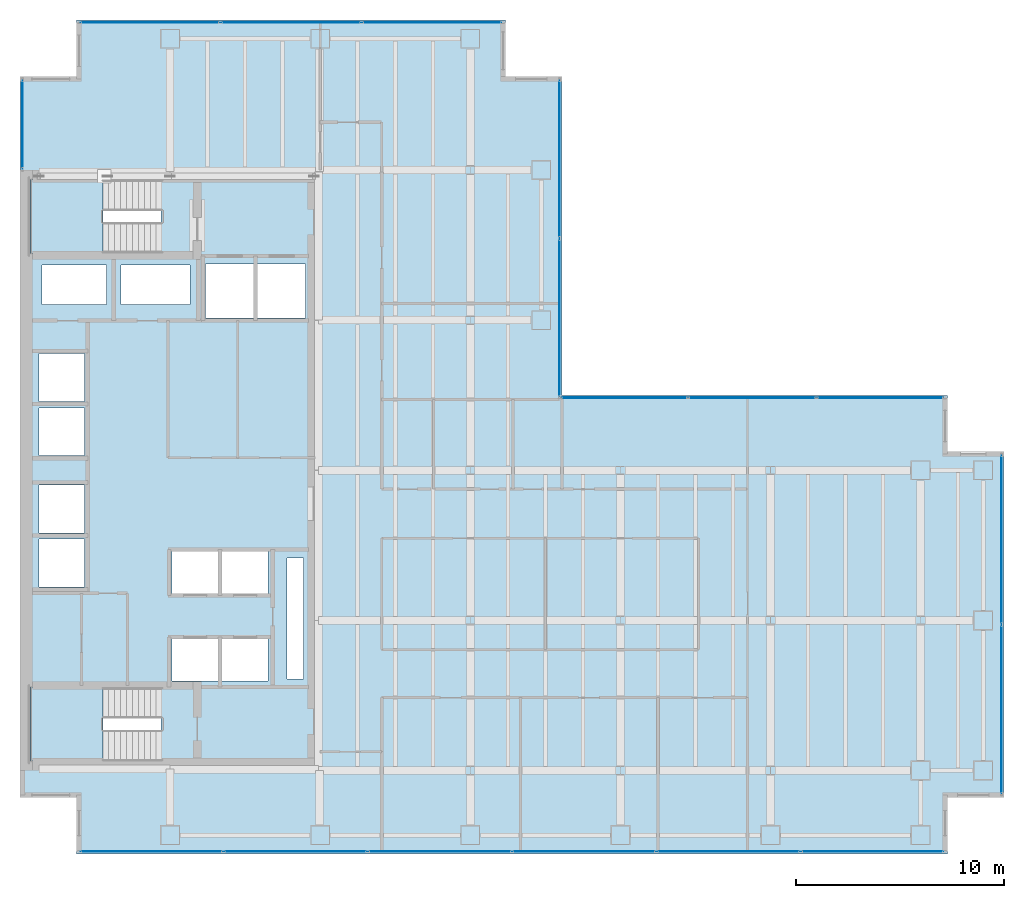
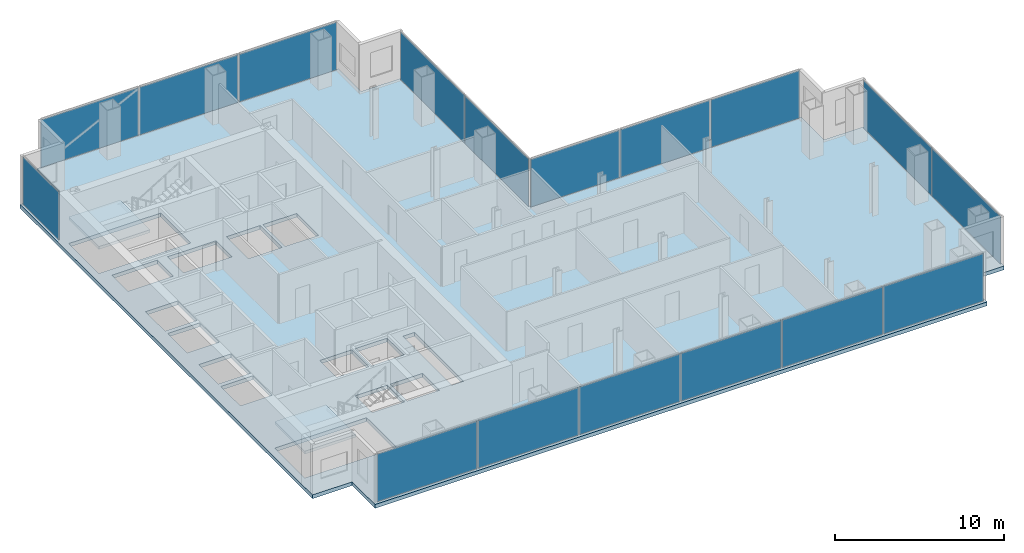
# One storey, part 19 of 23: 17 plates, 3 slabs, 15 openings, 8 elements without a shape of their own.
"""IFC4 building model written with IfcOpenShell, lengths in metres."""

import ifcopenshell
import ifcopenshell.guid

model = None  # the IFC model being written
_history = None  # IfcOwnerHistory: only IFC2X3 demands one
_inside = {}  # id of a spatial element -> (the spatial element, [elements in it])
_under = {}  # id of a project, library or spatial element -> (it, [spatial elements below it])
_declared = {}  # id of a project -> (the project, [libraries it declares])
_typed = {}  # id of a type object -> (the type object, [elements of that type])
_made_of = {}  # id of a material, layer set ... -> (it, [elements and type objects made of it])


def new_model(schema):
    """Start an empty IFC model of exactly this schema.

    Asked for "IFC4X3", IfcOpenShell would pick the latest addendum, in which some entities
    have other attributes; the version numbers below select the first issue.
    IFC2X3 requires an IfcOwnerHistory on every rooted entity: one is made here for all.
    """
    global model, _history
    if schema == "IFC4X3":
        model = ifcopenshell.file(schema_version=(4, 3, 0, 0))
    else:
        model = ifcopenshell.file(schema=schema)
    _inside.clear()
    _under.clear()
    _declared.clear()
    _typed.clear()
    _made_of.clear()
    _history = None
    if model.schema == "IFC2X3":
        org = make("IfcOrganization", Name="unknown")
        user = make(
            "IfcPersonAndOrganization",
            ThePerson=make("IfcPerson", FamilyName="unknown"),
            TheOrganization=org,
        )
        app = make(
            "IfcApplication",
            ApplicationDeveloper=org,
            Version="unknown",
            ApplicationFullName="unknown",
            ApplicationIdentifier="unknown",
        )
        _history = make(
            "IfcOwnerHistory",
            OwningUser=user,
            OwningApplication=app,
            ChangeAction="ADDED",
            CreationDate=0,
        )
    return model


def make(cls, **values):
    """One entity of the class cls with the attributes given. An attribute that is None is left unset."""
    return model.create_entity(
        cls, **{name: value for name, value in values.items() if value is not None}
    )


def rooted(cls, **values):
    """An entity with a GlobalId (a new one), such as an element, a storey or a relation."""
    return make(cls, GlobalId=ifcopenshell.guid.new(), OwnerHistory=_history, **values)


def si_unit(unit_type, name, prefix=None):
    """IfcSIUnit, for example si_unit("LENGTHUNIT", "METRE", prefix="MILLI")."""
    return make("IfcSIUnit", UnitType=unit_type, Prefix=prefix, Name=name)


def assignment(units):
    """IfcUnitAssignment: the units of a project."""
    return None if units is None else make("IfcUnitAssignment", Units=units)


def point(xyz):
    """IfcCartesianPoint."""
    return None if xyz is None else make("IfcCartesianPoint", Coordinates=xyz)


def direction(xyz):
    """IfcDirection."""
    return None if xyz is None else make("IfcDirection", DirectionRatios=xyz)


def frame(location, z_axis=None, x_axis=None):
    """IfcAxis2Placement3D, a coordinate frame: its origin and axes. An axis left out is left unset."""
    return make(
        "IfcAxis2Placement3D",
        Location=point(location),
        Axis=direction(z_axis),
        RefDirection=direction(x_axis),
    )


def frame_2d(location, x_axis=None):
    """IfcAxis2Placement2D, a coordinate frame in the plane: its origin and x axis."""
    return make(
        "IfcAxis2Placement2D", Location=point(location), RefDirection=direction(x_axis)
    )


def origin():
    """The frame at (0, 0, 0) with its axes left unset."""
    return frame((0.0, 0.0, 0.0))


def origin_2d():
    """The frame at (0, 0) in the plane with its x axis left unset."""
    return frame_2d((0.0, 0.0))


def place(relative_to, where):
    """IfcLocalPlacement: puts the frame where relative to a parent placement (None: the world)."""
    return make(
        "IfcLocalPlacement", PlacementRelTo=relative_to, RelativePlacement=where
    )


def context(
    kind, dimensions, precision=None, world=None, true_north=None, identifier=None
):
    """IfcGeometricRepresentationContext, for example the 3D "Model" context."""
    return make(
        "IfcGeometricRepresentationContext",
        ContextIdentifier=identifier,
        ContextType=kind,
        CoordinateSpaceDimension=dimensions,
        Precision=precision,
        WorldCoordinateSystem=world,
        TrueNorth=true_north,
    )


def subcontext(parent, identifier, kind, view, scale=None):
    """IfcGeometricRepresentationSubContext, for example "Body" below "Model"."""
    return make(
        "IfcGeometricRepresentationSubContext",
        ContextIdentifier=identifier,
        ContextType=kind,
        ParentContext=parent,
        TargetScale=scale,
        TargetView=view,
    )


def project(units=None, contexts=None):
    """IfcProject with its units and contexts."""
    return rooted(
        "IfcProject",
        Name="project",
        RepresentationContexts=contexts,
        UnitsInContext=assignment(units),
    )


def spatial(cls, under=None, at=None, **own):
    """A site, building, storey or space (cls), placed at a placement, below another one or the project."""
    s = rooted(cls, ObjectPlacement=at, **own)
    if under is not None:
        _under.setdefault(under.id(), (under, []))[1].append(s)
    return s


def polyline(points):
    """IfcPolyline through the points."""
    return make("IfcPolyline", Points=[point(p) for p in points])


def profile(cls, at=None, kind="AREA", **sizes):
    """A parametric profile (cls). Its sizes go by their IFC names, for example OverallWidth=200.0."""
    return make(cls, ProfileType=kind, Position=at, **sizes)


def rectangle(**sizes):
    """IfcRectangleProfileDef."""
    return profile("IfcRectangleProfileDef", **sizes)


def outline(outer, holes=None, kind="AREA"):
    """IfcArbitraryClosedProfileDef: a profile drawn as a closed curve; with holes, ...WithVoids."""
    if holes is None:
        return make("IfcArbitraryClosedProfileDef", ProfileType=kind, OuterCurve=outer)
    return make(
        "IfcArbitraryProfileDefWithVoids",
        ProfileType=kind,
        OuterCurve=outer,
        InnerCurves=holes,
    )


def extrude(swept, where, along, depth):
    """IfcExtrudedAreaSolid: the profile swept, set in the frame where, extruded along a direction by depth."""
    return make(
        "IfcExtrudedAreaSolid",
        SweptArea=swept,
        Position=where,
        ExtrudedDirection=direction(along),
        Depth=depth,
    )


def shape(context_of_items, identifier, shape_type, items):
    """IfcShapeRepresentation: the items that make up one representation, for example the "Body"."""
    return make(
        "IfcShapeRepresentation",
        ContextOfItems=context_of_items,
        RepresentationIdentifier=identifier,
        RepresentationType=shape_type,
        Items=items,
    )


def material(Name=None, Category=None):
    """IfcMaterial."""
    return make("IfcMaterial", Name=Name, Category=Category)


def layer(
    of_material, thickness, ventilated=None, Name=None, Category=None, Priority=None
):
    """IfcMaterialLayer: one layer of a wall or slab, of a material (None: an air gap)."""
    return make(
        "IfcMaterialLayer",
        Material=of_material,
        LayerThickness=thickness,
        IsVentilated=ventilated,
        Name=Name,
        Category=Category,
        Priority=Priority,
    )


def layer_set(layers, Name=None):
    """IfcMaterialLayerSet."""
    return make("IfcMaterialLayerSet", MaterialLayers=layers, LayerSetName=Name)


def made_of(thing, what):
    """Note that an element or type object is made of a material, layer set ...; save() writes the relation."""
    if what is not None:
        _made_of.setdefault(what.id(), (what, []))[1].append(thing)
    return thing


def type_object(cls, material=None, **own):
    """A type object (cls), such as IfcWallType, which elements share."""
    return made_of(rooted(cls, **own), material)


def element(
    cls,
    number,
    at=None,
    inside=None,
    cuts=None,
    type_object=None,
    material=None,
    context=None,
    identifier="Body",
    shape_type=None,
    held_by="IfcProductDefinitionShape",
    body=None,
    shapes=None,
    **own,
):
    """One element of the class cls, such as IfcWall. Its Tag is "e" and its number.

    at: its placement. inside: the storey or other place that contains it. cuts: it is an
    opening in that element (IfcRelVoidsElement). A single representation is given by context,
    identifier, shape_type and body (its items); several are given by shapes. held_by: the class
    of the entity that holds the representations. save() writes the other relations.
    """
    e = rooted(cls, Tag="e%d" % number, ObjectPlacement=at, **own)
    if body is not None:
        shapes = [shape(context, identifier, shape_type, body)]
    if shapes is not None:
        e.Representation = make(held_by, Representations=shapes)
    if inside is not None:
        _inside.setdefault(inside.id(), (inside, []))[1].append(e)
    if cuts is not None:
        rooted(
            "IfcRelVoidsElement", RelatingBuildingElement=cuts, RelatedOpeningElement=e
        )
    if type_object is not None:
        _typed.setdefault(type_object.id(), (type_object, []))[1].append(e)
    return made_of(e, material)


def aggregate(whole, parts):
    """IfcRelAggregates: a whole, such as a stair, and the parts it consists of."""
    return rooted("IfcRelAggregates", RelatingObject=whole, RelatedObjects=parts)


def save(model, path):
    """Write the relations noted so far, then the file.

    IfcRelAggregates (storeys below a building ...), IfcRelContainedInSpatialStructure (elements
    in a storey), IfcRelDefinesByType, IfcRelAssociatesMaterial and IfcRelDeclares: one each for
    every whole, place, type object, material and project.
    """
    for whole, parts in _under.values():
        aggregate(whole, parts)
    for where, things in _inside.values():
        rooted(
            "IfcRelContainedInSpatialStructure",
            RelatedElements=things,
            RelatingStructure=where,
        )
    for kind, things in _typed.values():
        rooted("IfcRelDefinesByType", RelatedObjects=things, RelatingType=kind)
    for what, things in _made_of.values():
        rooted("IfcRelAssociatesMaterial", RelatedObjects=things, RelatingMaterial=what)
    for by, libraries in _declared.values():
        rooted("IfcRelDeclares", RelatingContext=by, RelatedDefinitions=libraries)
    model.write(path)


model = new_model("IFC4")

# Units and contexts
model_context = context("Model", 3, precision=1e-05, world=origin(), true_north=direction((0.0, 1.0)))
body_context = subcontext(model_context, "Body", "Model", "MODEL_VIEW")
ifc_project = project(units=[si_unit("LENGTHUNIT", "METRE"), si_unit("AREAUNIT", "SQUARE_METRE"), si_unit("VOLUMEUNIT", "CUBIC_METRE"), si_unit("PLANEANGLEUNIT", "RADIAN"), si_unit("MASSUNIT", "GRAM", prefix="KILO")], contexts=[model_context])

# Site, building, storey
site_placement = place(None, origin())
site = spatial("IfcSite", under=ifc_project, at=site_placement, CompositionType="ELEMENT")
building_placement = place(site_placement, origin())
building = spatial("IfcBuilding", under=site, at=building_placement, Name="Cobrela Telecom Tower", CompositionType="ELEMENT")
storey_placement = place(building_placement, frame((0.0, 0.0, 113.75)))
storey = spatial("IfcBuildingStorey", under=building, at=storey_placement, Name="L28", CompositionType="ELEMENT", Elevation=113.75)

# Curtain wall, plate
ifc_material_1 = material(Name="Anodized Bronze Aluminium 6063-T6", Category="aluminium")
curtain_wall_type = type_object("IfcCurtainWallType", Name="CW-SYS-TEL", PredefinedType="USERDEFINED", material=ifc_material_1)
curtain_wall_1_placement = place(storey_placement, origin())
curtain_wall_1 = element("IfcCurtainWall", 1, at=curtain_wall_1_placement, inside=storey, type_object=curtain_wall_type, Name="L28 Unitised Bronze Curtain Wall 04", ObjectType="UNITISED CURTAIN WALL", PredefinedType="USERDEFINED")
ifc_material_2 = material(Name="Solar-Control Bronze Low-E Glass", Category="glass")
ifc_layer_1 = layer(ifc_material_2, 0.035888671875)
ifc_layer_set_1 = layer_set([ifc_layer_1], Name="Solar-Control Bronze Low-E Glass")
plate_type = type_object("IfcPlateType", Name="CW-SYS-TEL-PNL", PredefinedType="CURTAIN_PANEL", material=ifc_layer_set_1)
plate_1_placement = place(storey_placement, frame((0.1201171875, 38.18505859375, 0.070068359375), z_axis=(0.0, 0.0, 1.0), x_axis=(0.0, 1.0, 0.0)))
plate_1 = element("IfcPlate", 2, at=plate_1_placement, type_object=plate_type, Name="CW-TEL panel 1.1", PredefinedType="CURTAIN_PANEL", context=body_context, shape_type="SweptSolid", body=[
    extrude(rectangle(XDim=4.219970703125, YDim=0.035888671875, at=origin_2d()), origin(), (0.0, 0.0, 1.0), 3.43994140625),
])
aggregate(curtain_wall_1, [plate_1])

# Curtain wall, plates
curtain_wall_2_placement = place(storey_placement, origin())
curtain_wall_2 = element("IfcCurtainWall", 3, at=curtain_wall_2_placement, inside=storey, type_object=curtain_wall_type, Name="L28 Unitised Bronze Curtain Wall 07", ObjectType="UNITISED CURTAIN WALL", PredefinedType="USERDEFINED")
plate_2_placement = place(storey_placement, frame((6.23876953125, 43.080078125, 0.070068359375), z_axis=(0.0, 0.0, 1.0), x_axis=(1.0, 0.0, 0.0)))
plate_2 = element("IfcPlate", 4, at=plate_2_placement, type_object=plate_type, Name="CW-TEL panel 1.1", PredefinedType="CURTAIN_PANEL", context=body_context, shape_type="SweptSolid", body=[
    extrude(rectangle(XDim=6.66748046875, YDim=0.035888671875, at=origin_2d()), origin(), (0.0, 0.0, 1.0), 3.43994140625),
])
plate_3_placement = place(storey_placement, frame((13.0, 43.080078125, 0.070068359375), z_axis=(0.0, 0.0, 1.0), x_axis=(1.0, 0.0, 0.0)))
plate_3 = element("IfcPlate", 5, at=plate_3_placement, type_object=plate_type, Name="CW-TEL panel 2.1", PredefinedType="CURTAIN_PANEL", context=body_context, shape_type="SweptSolid", body=[
    extrude(rectangle(XDim=6.705078125, YDim=0.035888671875, at=origin_2d()), origin(), (0.0, 0.0, 1.0), 3.43994140625),
])
plate_4_placement = place(storey_placement, frame((19.76123046875, 43.080078125, 0.070068359375), z_axis=(0.0, 0.0, 1.0), x_axis=(1.0, 0.0, 0.0)))
plate_4 = element("IfcPlate", 6, at=plate_4_placement, type_object=plate_type, Name="CW-TEL panel 3.1", PredefinedType="CURTAIN_PANEL", context=body_context, shape_type="SweptSolid", body=[
    extrude(rectangle(XDim=6.66748046875, YDim=0.035888671875, at=origin_2d()), origin(), (0.0, 0.0, 1.0), 3.43994140625),
])
aggregate(curtain_wall_2, [plate_2, plate_3, plate_4])

curtain_wall_3_placement = place(storey_placement, origin())
curtain_wall_3 = element("IfcCurtainWall", 7, at=curtain_wall_3_placement, inside=storey, type_object=curtain_wall_type, Name="L28 Unitised Bronze Curtain Wall 10", ObjectType="UNITISED CURTAIN WALL", PredefinedType="USERDEFINED")
plate_5_placement = place(storey_placement, frame((25.8798828125, 36.52880859375, 0.070068359375), z_axis=(0.0, 0.0, 1.0), x_axis=(0.0, -1.0, 0.0)))
plate_5 = element("IfcPlate", 8, at=plate_5_placement, type_object=plate_type, Name="CW-TEL panel 1.1", PredefinedType="CURTAIN_PANEL", context=body_context, shape_type="SweptSolid", body=[
    extrude(rectangle(XDim=7.532470703125, YDim=0.035888671875, at=origin_2d()), origin(), (0.0, 0.0, 1.0), 3.43994140625),
])
plate_6_placement = place(storey_placement, frame((25.8798828125, 28.921142578125, 0.070068359375), z_axis=(0.0, 0.0, 1.0), x_axis=(0.0, -1.0, 0.0)))
plate_6 = element("IfcPlate", 9, at=plate_6_placement, type_object=plate_type, Name="CW-TEL panel 2.1", PredefinedType="CURTAIN_PANEL", context=body_context, shape_type="SweptSolid", body=[
    extrude(rectangle(XDim=7.532470703125, YDim=0.035888671875, at=origin_2d()), origin(), (0.0, 0.0, 1.0), 3.43994140625),
])
aggregate(curtain_wall_3, [plate_5, plate_6])

curtain_wall_4_placement = place(storey_placement, origin())
curtain_wall_4 = element("IfcCurtainWall", 10, at=curtain_wall_4_placement, inside=storey, type_object=curtain_wall_type, Name="L28 Unitised Bronze Curtain Wall 11", ObjectType="UNITISED CURTAIN WALL", PredefinedType="USERDEFINED")
plate_7_placement = place(storey_placement, frame((28.98046875, 25.080078125, 0.070068359375), z_axis=(0.0, 0.0, 1.0), x_axis=(1.0, 0.0, 0.0)))
plate_7 = element("IfcPlate", 11, at=plate_7_placement, type_object=plate_type, Name="CW-TEL panel 1.1", PredefinedType="CURTAIN_PANEL", context=body_context, shape_type="SweptSolid", body=[
    extrude(rectangle(XDim=6.05078125, YDim=0.035888671875, at=origin_2d()), origin(), (0.0, 0.0, 1.0), 3.43994140625),
])
plate_8_placement = place(storey_placement, frame((35.125, 25.080078125, 0.070068359375), z_axis=(0.0, 0.0, 1.0), x_axis=(1.0, 0.0, 0.0)))
plate_8 = element("IfcPlate", 12, at=plate_8_placement, type_object=plate_type, Name="CW-TEL panel 2.1", PredefinedType="CURTAIN_PANEL", context=body_context, shape_type="SweptSolid", body=[
    extrude(rectangle(XDim=6.08837890625, YDim=0.035888671875, at=origin_2d()), origin(), (0.0, 0.0, 1.0), 3.43994140625),
])
plate_9_placement = place(storey_placement, frame((41.26953125, 25.080078125, 0.070068359375), z_axis=(0.0, 0.0, 1.0), x_axis=(1.0, 0.0, 0.0)))
plate_9 = element("IfcPlate", 13, at=plate_9_placement, type_object=plate_type, Name="CW-TEL panel 3.1", PredefinedType="CURTAIN_PANEL", context=body_context, shape_type="SweptSolid", body=[
    extrude(rectangle(XDim=6.05078125, YDim=0.035888671875, at=origin_2d()), origin(), (0.0, 0.0, 1.0), 3.43994140625),
])
aggregate(curtain_wall_4, [plate_7, plate_8, plate_9])

curtain_wall_5_placement = place(storey_placement, origin())
curtain_wall_5 = element("IfcCurtainWall", 14, at=curtain_wall_5_placement, inside=storey, type_object=curtain_wall_type, Name="L28 Unitised Bronze Curtain Wall 14", ObjectType="UNITISED CURTAIN WALL", PredefinedType="USERDEFINED")
plate_10_placement = place(storey_placement, frame((47.080078125, 18.266357421875, 0.070068359375), z_axis=(0.0, 0.0, 1.0), x_axis=(0.0, -1.0, 0.0)))
plate_10 = element("IfcPlate", 15, at=plate_10_placement, type_object=plate_type, Name="CW-TEL panel 1.1", PredefinedType="CURTAIN_PANEL", context=body_context, shape_type="SweptSolid", body=[
    extrude(rectangle(XDim=8.0576171875, YDim=0.035888671875, at=origin_2d()), origin(), (0.0, 0.0, 1.0), 3.43994140625),
])
plate_11_placement = place(storey_placement, frame((47.080078125, 10.1337890625, 0.070068359375), z_axis=(0.0, 0.0, 1.0), x_axis=(0.0, -1.0, 0.0)))
plate_11 = element("IfcPlate", 16, at=plate_11_placement, type_object=plate_type, Name="CW-TEL panel 2.1", PredefinedType="CURTAIN_PANEL", context=body_context, shape_type="SweptSolid", body=[
    extrude(rectangle(XDim=8.0576171875, YDim=0.035888671875, at=origin_2d()), origin(), (0.0, 0.0, 1.0), 3.43994140625),
])
aggregate(curtain_wall_5, [plate_10, plate_11])

curtain_wall_6_placement = place(storey_placement, origin())
curtain_wall_6 = element("IfcCurtainWall", 17, at=curtain_wall_6_placement, inside=storey, type_object=curtain_wall_type, Name="L28 Unitised Bronze Curtain Wall 17", ObjectType="UNITISED CURTAIN WALL", PredefinedType="USERDEFINED")
plate_12_placement = place(storey_placement, frame((40.8896484375, 3.320068359375, 0.070068359375), z_axis=(0.0, 0.0, 1.0), x_axis=(-1.0, 0.0, 0.0)))
plate_12 = element("IfcPlate", 18, at=plate_12_placement, type_object=plate_type, Name="CW-TEL panel 1.1", PredefinedType="CURTAIN_PANEL", context=body_context, shape_type="SweptSolid", body=[
    extrude(rectangle(XDim=6.810791015625, YDim=0.035888671875, at=origin_2d()), origin(), (0.0, 0.0, 1.0), 3.43994140625),
])
plate_13_placement = place(storey_placement, frame((33.985107421875, 3.320068359375, 0.070068359375), z_axis=(0.0, 0.0, 1.0), x_axis=(-1.0, 0.0, 0.0)))
plate_13 = element("IfcPlate", 19, at=plate_13_placement, type_object=plate_type, Name="CW-TEL panel 2.1", PredefinedType="CURTAIN_PANEL", context=body_context, shape_type="SweptSolid", body=[
    extrude(rectangle(XDim=6.848388671875, YDim=0.035888671875, at=origin_2d()), origin(), (0.0, 0.0, 1.0), 3.43994140625),
])
plate_14_placement = place(storey_placement, frame((27.061767578125, 3.320068359375, 0.070068359375), z_axis=(0.0, 0.0, 1.0), x_axis=(-1.0, 0.0, 0.0)))
plate_14 = element("IfcPlate", 20, at=plate_14_placement, type_object=plate_type, Name="CW-TEL panel 3.1", PredefinedType="CURTAIN_PANEL", context=body_context, shape_type="SweptSolid", body=[
    extrude(rectangle(XDim=6.848388671875, YDim=0.035888671875, at=origin_2d()), origin(), (0.0, 0.0, 1.0), 3.43994140625),
])
plate_15_placement = place(storey_placement, frame((20.138427734375, 3.320068359375, 0.070068359375), z_axis=(0.0, 0.0, 1.0), x_axis=(-1.0, 0.0, 0.0)))
plate_15 = element("IfcPlate", 21, at=plate_15_placement, type_object=plate_type, Name="CW-TEL panel 4.1", PredefinedType="CURTAIN_PANEL", context=body_context, shape_type="SweptSolid", body=[
    extrude(rectangle(XDim=6.848388671875, YDim=0.035888671875, at=origin_2d()), origin(), (0.0, 0.0, 1.0), 3.43994140625),
])
plate_16_placement = place(storey_placement, frame((13.215087890625, 3.320068359375, 0.070068359375), z_axis=(0.0, 0.0, 1.0), x_axis=(-1.0, 0.0, 0.0)))
plate_16 = element("IfcPlate", 22, at=plate_16_placement, type_object=plate_type, Name="CW-TEL panel 5.1", PredefinedType="CURTAIN_PANEL", context=body_context, shape_type="SweptSolid", body=[
    extrude(rectangle(XDim=6.848388671875, YDim=0.035888671875, at=origin_2d()), origin(), (0.0, 0.0, 1.0), 3.43994140625),
])
plate_17_placement = place(storey_placement, frame((6.310302734375, 3.320068359375, 0.070068359375), z_axis=(0.0, 0.0, 1.0), x_axis=(-1.0, 0.0, 0.0)))
plate_17 = element("IfcPlate", 23, at=plate_17_placement, type_object=plate_type, Name="CW-TEL panel 6.1", PredefinedType="CURTAIN_PANEL", context=body_context, shape_type="SweptSolid", body=[
    extrude(rectangle(XDim=6.810791015625, YDim=0.035888671875, at=origin_2d()), origin(), (0.0, 0.0, 1.0), 3.43994140625),
])
aggregate(curtain_wall_6, [plate_12, plate_13, plate_14, plate_15, plate_16, plate_17])

# Slab, openings
ifc_material_3 = material(Name="Concrete C40/50", Category="concrete")
ifc_layer_2 = layer(ifc_material_3, 0.27001953125)
ifc_layer_set_2 = layer_set([ifc_layer_2], Name="Concrete C40/50")
slab_type_1 = type_object("IfcSlabType", Name="SLAB-FLR-270", PredefinedType="FLOOR", material=ifc_layer_set_2)
slab_1_placement = place(storey_placement, frame((0.0, 0.0, -0.27001953125)))
slab_1 = element("IfcSlab", 24, at=slab_1_placement, inside=storey, type_object=slab_type_1, Name="L28 Structural Floor Slab", PredefinedType="FLOOR", context=body_context, shape_type="SweptSolid", body=[
    extrude(outline(polyline([(2.7099609375, 3.199951171875), (44.489990234375, 3.199951171875), (44.489990234375, 5.909912109375), (47.199951171875, 5.909912109375), (47.199951171875, 22.489990234375), (44.489990234375, 22.489990234375), (44.489990234375, 25.199951171875), (26.0, 25.199951171875), (26.0, 40.489990234375), (23.2900390625, 40.489990234375), (23.2900390625, 43.199951171875), (2.7099609375, 43.199951171875), (2.7099609375, 40.489990234375), (0.0, 40.489990234375), (0.0, 5.909912109375), (2.7099609375, 5.909912109375), (2.7099609375, 3.199951171875)])), origin(), (0.0, 0.0, 1.0), 0.27001953125),
])
opening_1_placement = place(slab_1_placement, frame((0.0, 0.0, -0.02001953125)))
element("IfcOpeningElement", 25, at=opening_1_placement, cuts=slab_1, Name="Slab Shaft Opening SLAB-L28-MAIN.1", PredefinedType="OPENING", context=body_context, shape_type="SweptSolid", body=[
    extrude(outline(polyline([(8.89990234375, 28.89990234375), (11.199951171875, 28.89990234375), (11.199951171875, 31.5), (8.89990234375, 31.5), (8.89990234375, 28.89990234375)])), origin(), (0.0, 0.0, 1.0), 0.31005859375),
])
opening_2_placement = place(slab_1_placement, frame((0.0, 0.0, -0.02001953125)))
element("IfcOpeningElement", 26, at=opening_2_placement, cuts=slab_1, Name="Slab Shaft Opening SLAB-L28-MAIN.2", PredefinedType="OPENING", context=body_context, shape_type="SweptSolid", body=[
    extrude(outline(polyline([(11.39990234375, 28.89990234375), (13.699951171875, 28.89990234375), (13.699951171875, 31.5), (11.39990234375, 31.5), (11.39990234375, 28.89990234375)])), origin(), (0.0, 0.0, 1.0), 0.31005859375),
])
opening_3_placement = place(slab_1_placement, frame((0.0, 0.0, -0.02001953125)))
element("IfcOpeningElement", 27, at=opening_3_placement, cuts=slab_1, Name="Slab Shaft Opening SLAB-L28-MAIN.3", PredefinedType="OPENING", context=body_context, shape_type="SweptSolid", body=[
    extrude(outline(polyline([(7.300048828125, 15.699951171875), (9.5, 15.699951171875), (9.5, 17.699951171875), (7.300048828125, 17.699951171875), (7.300048828125, 15.699951171875)])), origin(), (0.0, 0.0, 1.0), 0.31005859375),
])
opening_4_placement = place(slab_1_placement, frame((0.0, 0.0, -0.02001953125)))
element("IfcOpeningElement", 28, at=opening_4_placement, cuts=slab_1, Name="Slab Shaft Opening SLAB-L28-MAIN.4", PredefinedType="OPENING", context=body_context, shape_type="SweptSolid", body=[
    extrude(outline(polyline([(9.699951171875, 15.699951171875), (11.89990234375, 15.699951171875), (11.89990234375, 17.699951171875), (9.699951171875, 17.699951171875), (9.699951171875, 15.699951171875)])), origin(), (0.0, 0.0, 1.0), 0.31005859375),
])
opening_5_placement = place(slab_1_placement, frame((0.0, 0.0, -0.02001953125)))
element("IfcOpeningElement", 29, at=opening_5_placement, cuts=slab_1, Name="Slab Shaft Opening SLAB-L28-MAIN.5", PredefinedType="OPENING", context=body_context, shape_type="SweptSolid", body=[
    extrude(outline(polyline([(7.300048828125, 11.5), (9.5, 11.5), (9.5, 13.5), (7.300048828125, 13.5), (7.300048828125, 11.5)])), origin(), (0.0, 0.0, 1.0), 0.31005859375),
])
opening_6_placement = place(slab_1_placement, frame((0.0, 0.0, -0.02001953125)))
element("IfcOpeningElement", 30, at=opening_6_placement, cuts=slab_1, Name="Slab Shaft Opening SLAB-L28-MAIN.6", PredefinedType="OPENING", context=body_context, shape_type="SweptSolid", body=[
    extrude(outline(polyline([(9.699951171875, 11.5), (11.89990234375, 11.5), (11.89990234375, 13.5), (9.699951171875, 13.5), (9.699951171875, 11.5)])), origin(), (0.0, 0.0, 1.0), 0.31005859375),
])
opening_7_placement = place(slab_1_placement, frame((0.0, 0.0, -0.02001953125)))
element("IfcOpeningElement", 31, at=opening_7_placement, cuts=slab_1, Name="Slab Shaft Opening SLAB-L28-MAIN.7", PredefinedType="OPENING", context=body_context, shape_type="SweptSolid", body=[
    extrude(outline(polyline([(0.89990234375, 16.0), (3.10009765625, 16.0), (3.10009765625, 18.300048828125), (0.89990234375, 18.300048828125), (0.89990234375, 16.0)])), origin(), (0.0, 0.0, 1.0), 0.31005859375),
])
opening_8_placement = place(slab_1_placement, frame((0.0, 0.0, -0.02001953125)))
element("IfcOpeningElement", 32, at=opening_8_placement, cuts=slab_1, Name="Slab Shaft Opening SLAB-L28-MAIN.8", PredefinedType="OPENING", context=body_context, shape_type="SweptSolid", body=[
    extrude(outline(polyline([(0.89990234375, 18.60009765625), (3.10009765625, 18.60009765625), (3.10009765625, 20.89990234375), (0.89990234375, 20.89990234375), (0.89990234375, 18.60009765625)])), origin(), (0.0, 0.0, 1.0), 0.31005859375),
])
opening_9_placement = place(slab_1_placement, frame((0.0, 0.0, -0.02001953125)))
element("IfcOpeningElement", 33, at=opening_9_placement, cuts=slab_1, Name="Slab Shaft Opening SLAB-L28-MAIN.9", PredefinedType="OPENING", context=body_context, shape_type="SweptSolid", body=[
    extrude(outline(polyline([(0.89990234375, 22.300048828125), (3.10009765625, 22.300048828125), (3.10009765625, 24.60009765625), (0.89990234375, 24.60009765625), (0.89990234375, 22.300048828125)])), origin(), (0.0, 0.0, 1.0), 0.31005859375),
])
opening_10_placement = place(slab_1_placement, frame((0.0, 0.0, -0.02001953125)))
element("IfcOpeningElement", 34, at=opening_10_placement, cuts=slab_1, Name="Slab Shaft Opening SLAB-L28-MAIN.10", PredefinedType="OPENING", context=body_context, shape_type="SweptSolid", body=[
    extrude(outline(polyline([(0.89990234375, 24.89990234375), (3.10009765625, 24.89990234375), (3.10009765625, 27.199951171875), (0.89990234375, 27.199951171875), (0.89990234375, 24.89990234375)])), origin(), (0.0, 0.0, 1.0), 0.31005859375),
])
opening_11_placement = place(slab_1_placement, frame((0.0, 0.0, -0.02001953125)))
element("IfcOpeningElement", 35, at=opening_11_placement, cuts=slab_1, Name="Slab Shaft Opening SLAB-L28-MAIN.11", PredefinedType="OPENING", context=body_context, shape_type="SweptSolid", body=[
    extrude(outline(polyline([(1.050048828125, 29.550048828125), (4.14990234375, 29.550048828125), (4.14990234375, 31.449951171875), (1.050048828125, 31.449951171875), (1.050048828125, 29.550048828125)])), origin(), (0.0, 0.0, 1.0), 0.31005859375),
])
opening_12_placement = place(slab_1_placement, frame((0.0, 0.0, -0.02001953125)))
element("IfcOpeningElement", 36, at=opening_12_placement, cuts=slab_1, Name="Slab Shaft Opening SLAB-L28-MAIN.12", PredefinedType="OPENING", context=body_context, shape_type="SweptSolid", body=[
    extrude(outline(polyline([(4.85009765625, 29.550048828125), (8.14990234375, 29.550048828125), (8.14990234375, 31.449951171875), (4.85009765625, 31.449951171875), (4.85009765625, 29.550048828125)])), origin(), (0.0, 0.0, 1.0), 0.31005859375),
])
opening_13_placement = place(slab_1_placement, frame((0.0, 0.0, -0.02001953125)))
element("IfcOpeningElement", 37, at=opening_13_placement, cuts=slab_1, Name="Slab Shaft Opening SLAB-L28-MAIN.13", PredefinedType="OPENING", context=body_context, shape_type="SweptSolid", body=[
    extrude(outline(polyline([(12.800048828125, 11.60009765625), (13.60009765625, 11.60009765625), (13.60009765625, 17.39990234375), (12.800048828125, 17.39990234375), (12.800048828125, 11.60009765625)])), origin(), (0.0, 0.0, 1.0), 0.31005859375),
])
opening_14_placement = place(slab_1_placement, frame((0.0, 0.0, -0.02001953125)))
element("IfcOpeningElement", 38, at=opening_14_placement, cuts=slab_1, Name="Slab Shaft Opening SLAB-L28-MAIN.14", PredefinedType="OPENING", context=body_context, shape_type="SweptSolid", body=[
    extrude(outline(polyline([(6.7548828125, 35.550048828125), (0.47998046875, 35.550048828125), (0.47998046875, 32.0), (6.7548828125, 32.0), (6.7548828125, 35.550048828125)])), origin(), (0.0, 0.0, 1.0), 0.31005859375),
])
opening_15_placement = place(slab_1_placement, frame((0.0, 0.0, -0.02001953125)))
element("IfcOpeningElement", 39, at=opening_15_placement, cuts=slab_1, Name="Slab Shaft Opening SLAB-L28-MAIN.15", PredefinedType="OPENING", context=body_context, shape_type="SweptSolid", body=[
    extrude(outline(polyline([(6.7548828125, 11.199951171875), (0.47998046875, 11.199951171875), (0.47998046875, 7.64990234375), (6.7548828125, 7.64990234375), (6.7548828125, 11.199951171875)])), origin(), (0.0, 0.0, 1.0), 0.31005859375),
])

# Stair, slab
stair_type = type_object("IfcStairType", Name="STAIR-CORE", PredefinedType="HALF_TURN_STAIR", material=ifc_material_3)
stair_1_placement = place(storey_placement, origin())
stair_1 = element("IfcStair", 40, at=stair_1_placement, inside=storey, type_object=stair_type, Name="L28 Smokeproof Exit Stair ST1", PredefinedType="HALF_TURN_STAIR")
ifc_layer_3 = layer(ifc_material_3, 0.199951171875)
ifc_layer_set_3 = layer_set([ifc_layer_3], Name="Concrete C40/50")
slab_type_2 = type_object("IfcSlabType", Name="SLAB-LAND-200", PredefinedType="LANDING", material=ifc_layer_set_3)
slab_2_placement = place(storey_placement, frame((0.0, 0.0, 1.72509765625)))
slab_2 = element("IfcSlab", 41, at=slab_2_placement, type_object=slab_type_2, Name="ST1 landing 1", PredefinedType="LANDING", context=body_context, shape_type="SweptSolid", body=[
    extrude(outline(polyline([(3.969970703125, 35.550048828125), (0.47998046875, 35.550048828125), (0.47998046875, 32.0), (3.969970703125, 32.0), (3.969970703125, 35.550048828125)])), origin(), (0.0, 0.0, 1.0), 0.199951171875),
])
aggregate(stair_1, [slab_2])

stair_2_placement = place(storey_placement, origin())
stair_2 = element("IfcStair", 42, at=stair_2_placement, inside=storey, type_object=stair_type, Name="L28 Smokeproof Exit Stair ST2", PredefinedType="HALF_TURN_STAIR")
slab_3_placement = place(storey_placement, frame((0.0, 0.0, 1.72509765625)))
slab_3 = element("IfcSlab", 43, at=slab_3_placement, type_object=slab_type_2, Name="ST2 landing 1", PredefinedType="LANDING", context=body_context, shape_type="SweptSolid", body=[
    extrude(outline(polyline([(3.969970703125, 11.199951171875), (0.47998046875, 11.199951171875), (0.47998046875, 7.64990234375), (3.969970703125, 7.64990234375), (3.969970703125, 11.199951171875)])), origin(), (0.0, 0.0, 1.0), 0.199951171875),
])
aggregate(stair_2, [slab_3])

save(model, "model.ifc")
